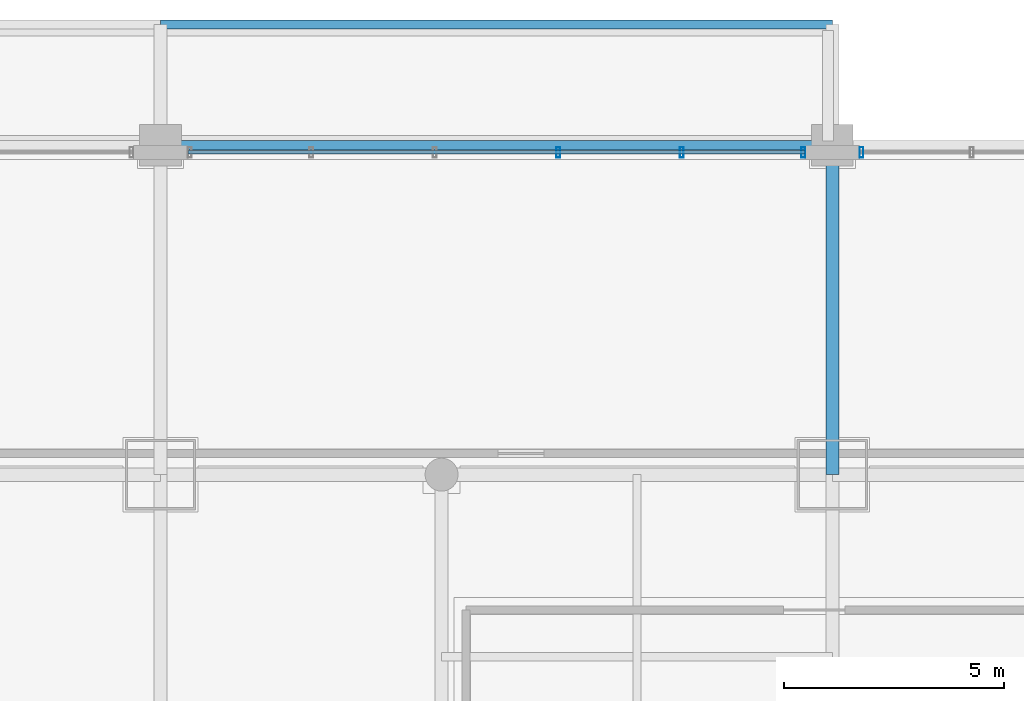
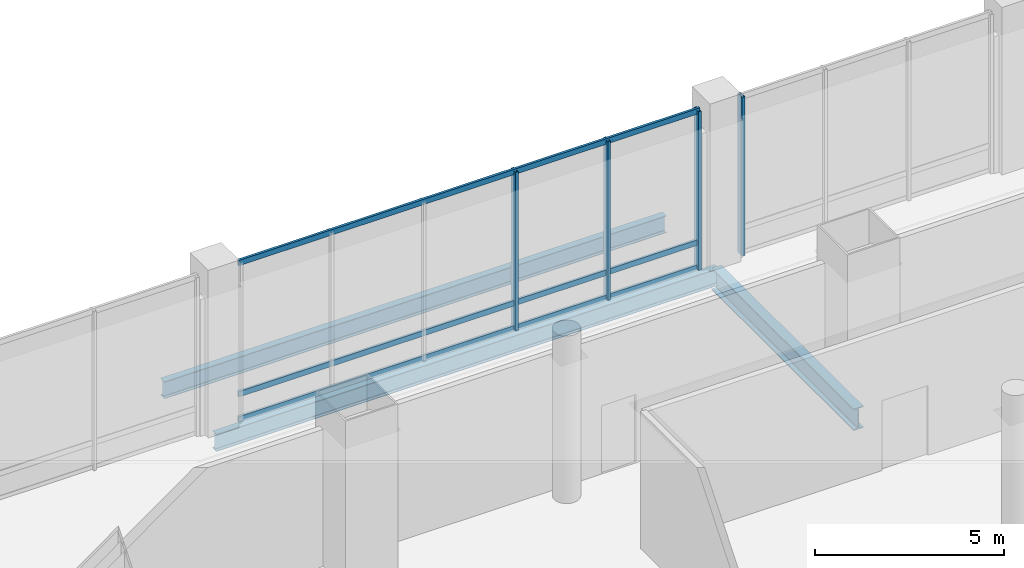
# One storey, part 19 of 43: 7 members, 3 beams, 2 elements without a shape of their own.
"""IFC4 building model written with IfcOpenShell, lengths in metres."""

from ifc_helpers import new_model, si_unit, direction, frame, origin, origin_2d, place, context, subcontext, project, spatial, hollow_rectangle, i_section, extrude, material, material_profile, profile_set, type_object, element, aggregate, save


model = new_model("IFC4")

# Units and contexts
model_context = context("Model", 3, precision=1e-05, world=origin(), true_north=direction((0.0, 1.0)))
body_context = subcontext(model_context, "Body", "Model", "MODEL_VIEW")
ifc_project = project(units=[si_unit("LENGTHUNIT", "METRE"), si_unit("AREAUNIT", "SQUARE_METRE"), si_unit("VOLUMEUNIT", "CUBIC_METRE"), si_unit("PLANEANGLEUNIT", "RADIAN"), si_unit("MASSUNIT", "GRAM", prefix="KILO")], contexts=[model_context])

# Site, building, storey
site_placement = place(None, origin())
site = spatial("IfcSite", under=ifc_project, at=site_placement, CompositionType="ELEMENT")
building_placement = place(site_placement, origin())
building = spatial("IfcBuilding", under=site, at=building_placement, Name="Punatoya Terracotta Tower", CompositionType="ELEMENT")
storey_placement = place(building_placement, frame((0.0, 0.0, 6.0)))
storey = spatial("IfcBuildingStorey", under=building, at=storey_placement, Name="L01", CompositionType="ELEMENT", Elevation=6.0)

# Beams
ifc_material_1 = material(Name="Steel S355", Category="steel")
ifc_material_profile_1 = material_profile(ifc_material_1, i_section(OverallWidth=0.300048828125, OverallDepth=0.699951171875, WebThickness=0.01708984375, FlangeThickness=0.031982421875, FilletRadius=0.01806640625, at=origin_2d()))
ifc_profile_set_1 = profile_set([ifc_material_profile_1], Name="Steel S355")
beam_type_1 = type_object("IfcBeamType", Name="BM-PRI-700", PredefinedType="BEAM", material=ifc_profile_set_1)
beam_placement = place(storey_placement, frame((19.10009765625, 17.5, -0.6298828125), z_axis=(0.0, 1.0, 0.0), x_axis=(-1.0, 0.0, 0.0)))
element("IfcBeam", 1, at=beam_placement, inside=storey, type_object=beam_type_1, Name="BM-L01-M19E-17", PredefinedType="BEAM", context=body_context, shape_type="SweptSolid", body=[
    extrude(i_section(OverallWidth=0.300048828125, OverallDepth=0.699951171875, WebThickness=0.01708984375, FlangeThickness=0.031982421875, FilletRadius=0.01806640625, at=origin_2d()), origin(), (0.0, 0.0, 1.0), 7.5),
])
ifc_material_profile_2 = material_profile(ifc_material_1, i_section(OverallWidth=0.2099609375, OverallDepth=0.550048828125, WebThickness=0.010986328125, FlangeThickness=0.01708984375, FilletRadius=0.01806640625, at=origin_2d()))
ifc_profile_set_2 = profile_set([ifc_material_profile_2], Name="Steel S355")
beam_type_2 = type_object("IfcBeamType", Name="BM-SPN-550", PredefinedType="SPANDREL", material=ifc_profile_set_2)
for number, where, z_axis, x_axis, name in (
    (2, (3.800048828125, 25.0, -0.554931640625), (1.0, 0.0, 0.0), (0.0, 1.0, 0.0), "BM-L01-MIDH-3"),
    (3, (3.800048828125, 27.75, -0.52490234375), (1.0, 0.0, 0.0), (0.0, 1.0, 0.0), "BM-L01-CANFN-3"),
):
    element("IfcBeam", number, at=place(storey_placement, frame(where, z_axis=z_axis, x_axis=x_axis)), inside=storey, type_object=beam_type_2, Name=name, PredefinedType="SPANDREL", context=body_context, shape_type="SweptSolid", body=[
        extrude(i_section(OverallWidth=0.2099609375, OverallDepth=0.550048828125, WebThickness=0.010986328125, FlangeThickness=0.01708984375, FilletRadius=0.01806640625, at=origin_2d()), origin(), (0.0, 0.0, 1.0), 15.300048828125),
    ])

# Curtain wall, members
ifc_material_2 = material(Name="Aluminium 6063-T6 + Double Low-E Glass", Category="aluminium")
curtain_wall_type = type_object("IfcCurtainWallType", Name="CW-POD", PredefinedType="NOTDEFINED", material=ifc_material_2)
curtain_wall_1_placement = place(storey_placement, origin())
curtain_wall_1 = element("IfcCurtainWall", 4, at=curtain_wall_1_placement, inside=storey, type_object=curtain_wall_type, Name="L01 Curtain Wall CWP-L01-N5", PredefinedType="NOTDEFINED")
ifc_material_3 = material(Name="Aluminium 6063-T6", Category="aluminium")
ifc_material_profile_3 = material_profile(ifc_material_3, hollow_rectangle(XDim=0.0849609375, YDim=0.239990234375, WallThickness=0.0048828125, at=origin_2d()))
ifc_profile_set_3 = profile_set([ifc_material_profile_3], Name="Aluminium 6063-T6")
member_type_1 = type_object("IfcMemberType", Name="CW-MUL-POD", PredefinedType="MULLION", material=ifc_profile_set_3)
member_1_placement = place(storey_placement, frame((18.43505859375, 24.840087890625, 0.0), z_axis=(0.0, 0.0, 1.0), x_axis=(1.0, 0.0, 0.0)))
member_1 = element("IfcMember", 5, at=member_1_placement, type_object=member_type_1, Name="CWP-L01-N5 Mullion 00", PredefinedType="MULLION", context=body_context, shape_type="SweptSolid", body=[
    extrude(hollow_rectangle(XDim=0.0849609375, YDim=0.239990234375, WallThickness=0.0048828125, at=origin_2d()), origin(), (0.0, 0.0, 1.0), 5.1201171875),
])
member_2_placement = place(storey_placement, frame((15.66796875, 24.840087890625, 0.0), z_axis=(0.0, 0.0, 1.0), x_axis=(1.0, 0.0, 0.0)))
member_2 = element("IfcMember", 6, at=member_2_placement, type_object=member_type_1, Name="CWP-L01-N5 Mullion 01", PredefinedType="MULLION", context=body_context, shape_type="SweptSolid", body=[
    extrude(hollow_rectangle(XDim=0.0849609375, YDim=0.239990234375, WallThickness=0.0048828125, at=origin_2d()), origin(), (0.0, 0.0, 1.0), 5.1201171875),
])
member_3_placement = place(storey_placement, frame((12.85595703125, 24.840087890625, 0.0), z_axis=(0.0, 0.0, 1.0), x_axis=(1.0, 0.0, 0.0)))
member_3 = element("IfcMember", 7, at=member_3_placement, type_object=member_type_1, Name="CWP-L01-N5 Mullion 02", PredefinedType="MULLION", context=body_context, shape_type="SweptSolid", body=[
    extrude(hollow_rectangle(XDim=0.0849609375, YDim=0.239990234375, WallThickness=0.0048828125, at=origin_2d()), origin(), (0.0, 0.0, 1.0), 5.1201171875),
])

# Curtain wall, member
curtain_wall_2_placement = place(storey_placement, origin())
curtain_wall_2 = element("IfcCurtainWall", 8, at=curtain_wall_2_placement, inside=storey, type_object=curtain_wall_type, Name="L01 Curtain Wall CWP-L01-N6", PredefinedType="NOTDEFINED")
member_4_placement = place(storey_placement, frame((19.764892578125, 24.840087890625, 0.0), z_axis=(0.0, 0.0, 1.0), x_axis=(1.0, 0.0, 0.0)))
member_4 = element("IfcMember", 9, at=member_4_placement, type_object=member_type_1, Name="CWP-L01-N6 Mullion 03", PredefinedType="MULLION", context=body_context, shape_type="SweptSolid", body=[
    extrude(hollow_rectangle(XDim=0.0849609375, YDim=0.239990234375, WallThickness=0.0048828125, at=origin_2d()), origin(), (0.0, 0.0, 1.0), 5.1201171875),
])
aggregate(curtain_wall_2, [member_4])

# Member
ifc_material_profile_4 = material_profile(ifc_material_3, hollow_rectangle(XDim=0.074951171875, YDim=0.175048828125, WallThickness=0.00439453125, at=origin_2d()))
ifc_profile_set_4 = profile_set([ifc_material_profile_4], Name="Aluminium 6063-T6")
member_type_2 = type_object("IfcMemberType", Name="CW-TRN-POD", PredefinedType="USERDEFINED", material=ifc_profile_set_4)
member_5_placement = place(storey_placement, frame((18.47998046875, 24.840087890625, 0.0400390625), z_axis=(-1.0, 0.0, 0.0), x_axis=(0.0, -1.0, 0.0)))
member_5 = element("IfcMember", 10, at=member_5_placement, type_object=member_type_2, Name="CWP-L01-N5 Transom 1", ObjectType="TRANSOM", PredefinedType="USERDEFINED", context=body_context, shape_type="SweptSolid", body=[
    extrude(hollow_rectangle(XDim=0.074951171875, YDim=0.175048828125, WallThickness=0.00439453125, at=origin_2d()), origin(), (0.0, 0.0, 1.0), 14.06005859375),
])

member_6_placement = place(storey_placement, frame((18.47998046875, 24.840087890625, 0.85009765625), z_axis=(-1.0, 0.0, 0.0), x_axis=(0.0, -1.0, 0.0)))
member_6 = element("IfcMember", 11, at=member_6_placement, type_object=member_type_2, Name="CWP-L01-N5 Transom 2", ObjectType="TRANSOM", PredefinedType="USERDEFINED", context=body_context, shape_type="SweptSolid", body=[
    extrude(hollow_rectangle(XDim=0.074951171875, YDim=0.175048828125, WallThickness=0.00439453125, at=origin_2d()), origin(), (0.0, 0.0, 1.0), 14.06005859375),
])

member_7_placement = place(storey_placement, frame((18.47998046875, 24.840087890625, 5.080078125), z_axis=(-1.0, 0.0, 0.0), x_axis=(0.0, -1.0, 0.0)))
member_7 = element("IfcMember", 12, at=member_7_placement, type_object=member_type_2, Name="CWP-L01-N5 Transom 3", ObjectType="TRANSOM", PredefinedType="USERDEFINED", context=body_context, shape_type="SweptSolid", body=[
    extrude(hollow_rectangle(XDim=0.074951171875, YDim=0.175048828125, WallThickness=0.00439453125, at=origin_2d()), origin(), (0.0, 0.0, 1.0), 14.06005859375),
])

aggregate(curtain_wall_1, [member_1, member_2, member_3, member_5, member_6, member_7])

save(model, "model.ifc")
